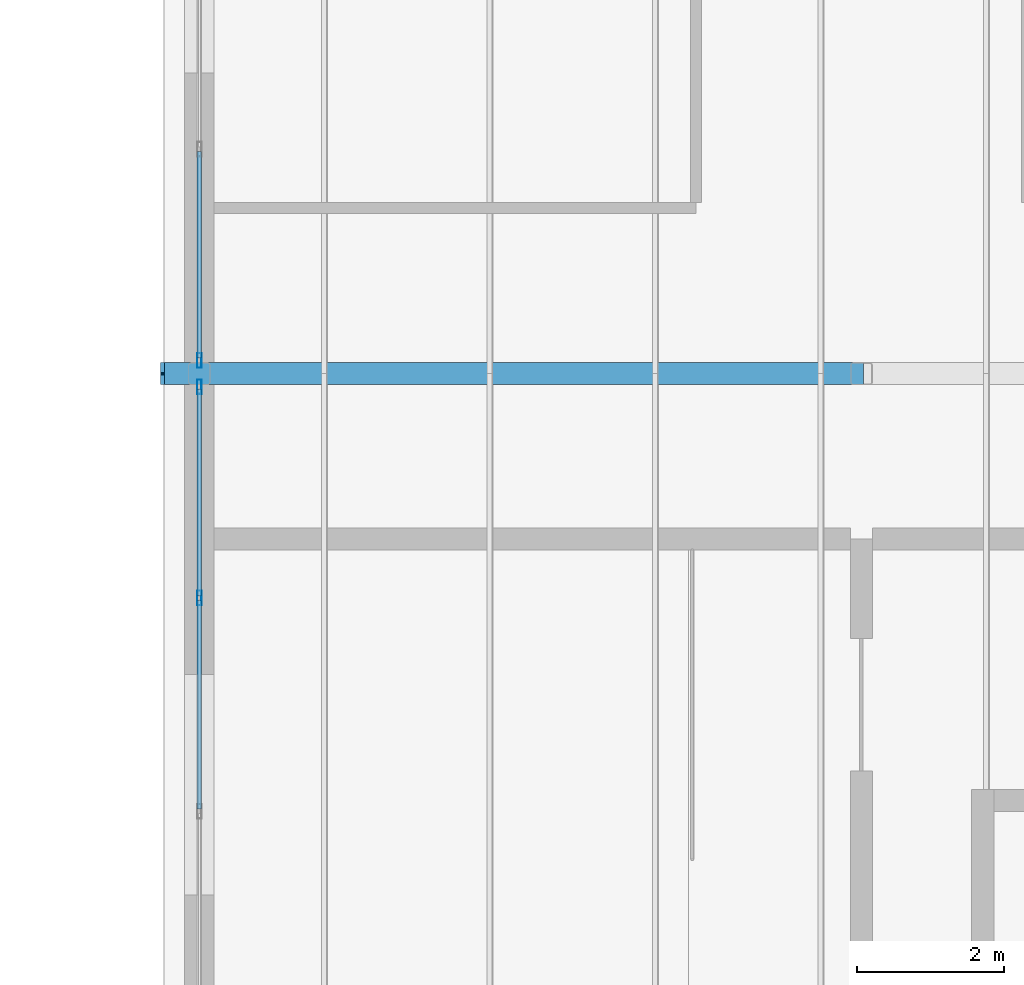
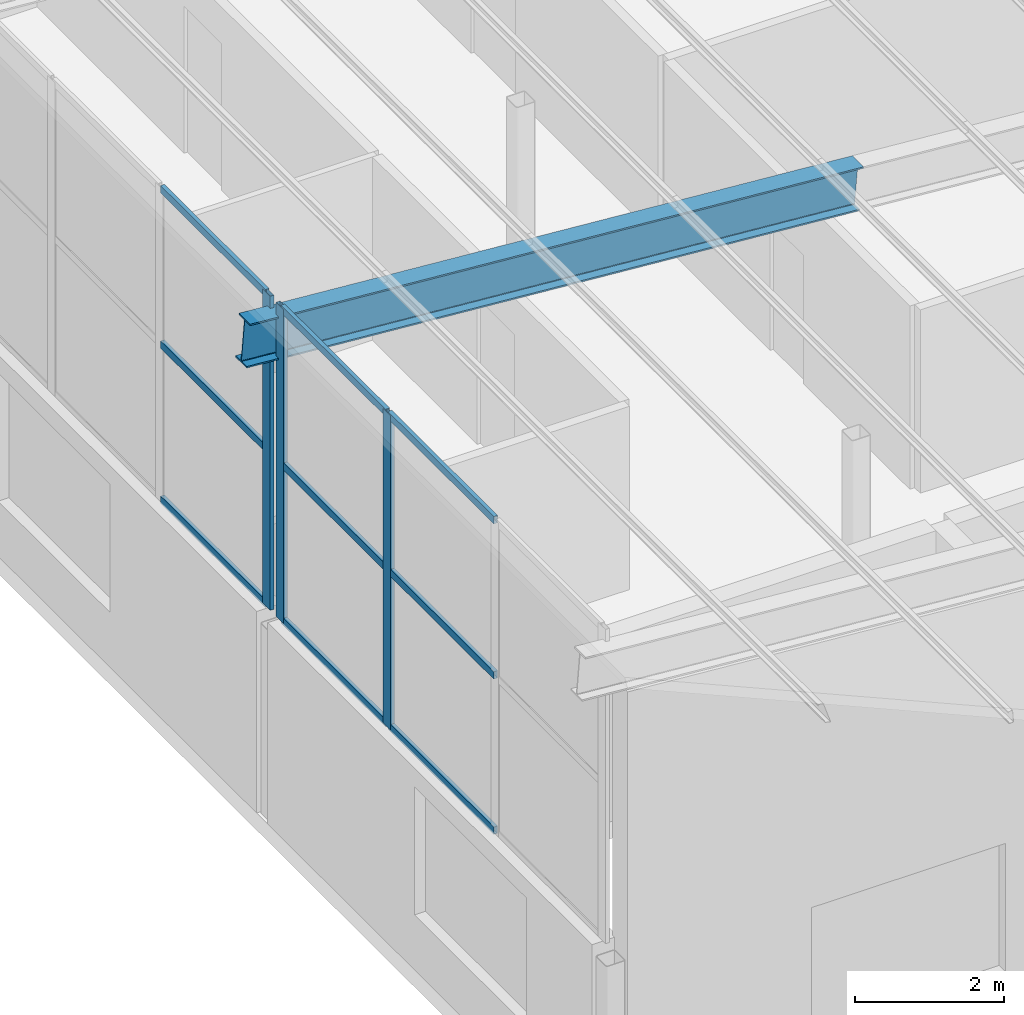
# One storey, part 25 of 85: 13 members, 2 elements without a shape of their own.
"""IFC4 building model written with IfcOpenShell, lengths in metres."""

from ifc_helpers import new_model, si_unit, direction, frame, origin, origin_2d, place, context, subcontext, project, spatial, hollow_rectangle, i_section, extrude, material, layer, layer_set, material_profile, profile_set, type_object, element, aggregate, save


model = new_model("IFC4")

# Units and contexts
model_context = context("Model", 3, precision=1e-05, world=origin(), true_north=direction((0.0, 1.0)))
body_context = subcontext(model_context, "Body", "Model", "MODEL_VIEW")
ifc_project = project(units=[si_unit("LENGTHUNIT", "METRE"), si_unit("AREAUNIT", "SQUARE_METRE"), si_unit("VOLUMEUNIT", "CUBIC_METRE"), si_unit("PLANEANGLEUNIT", "RADIAN"), si_unit("MASSUNIT", "GRAM", prefix="KILO")], contexts=[model_context])

# Site, building, storey
site_placement = place(None, origin())
site = spatial("IfcSite", under=ifc_project, at=site_placement, CompositionType="ELEMENT")
building_placement = place(site_placement, origin())
building = spatial("IfcBuilding", under=site, at=building_placement, Name="Opaline Strait Convention Centre", CompositionType="ELEMENT")
storey_placement = place(building_placement, frame((0.0, 0.0, 17.0)))
storey = spatial("IfcBuildingStorey", under=building, at=storey_placement, Name="L03", CompositionType="ELEMENT", Elevation=17.0)

# Curtain wall, members
ifc_material_1 = material(Name="Aluminium framed double glazing", Category="aluminium")
ifc_layer = layer(ifc_material_1, 0.199951171875)
ifc_layer_set = layer_set([ifc_layer], Name="Aluminium framed double glazing")
curtain_wall_type = type_object("IfcCurtainWallType", Name="Curtain wall 3000 module unitised", PredefinedType="NOTDEFINED", material=ifc_layer_set)
curtain_wall_1_placement = place(storey_placement, origin())
curtain_wall_1 = element("IfcCurtainWall", 1, at=curtain_wall_1_placement, inside=storey, type_object=curtain_wall_type, Name="Clerestory curtain wall W L03 32/L", PredefinedType="NOTDEFINED")
ifc_material_2 = material(Name="Aluminium alloy 6063", Category="aluminium")
ifc_material_profile_1 = material_profile(ifc_material_2, hollow_rectangle(XDim=0.06005859375, YDim=0.199951171875, WallThickness=0.00390625, at=origin_2d()), Name="MULLION 60x200x4")
ifc_profile_set_1 = profile_set([ifc_material_profile_1], Name="Aluminium alloy 6063")
member_type_1 = type_object("IfcMemberType", Name="Curtain wall mullion 60 x 200", PredefinedType="MULLION", material=ifc_profile_set_1)
member_1_placement = place(storey_placement, frame((279.0, 95.949951171875, 3.300048828125), z_axis=(0.0, 0.0, 1.0), x_axis=(-1.0, 0.0, 0.0)))
member_1 = element("IfcMember", 2, at=member_1_placement, type_object=member_type_1, Name="MCWR1 mullion 3", PredefinedType="MULLION", context=body_context, shape_type="SweptSolid", body=[
    extrude(hollow_rectangle(XDim=0.06005859375, YDim=0.199951171875, WallThickness=0.00390625, at=origin_2d()), origin(), (0.0, 0.0, 1.0), 5.144287109375),
])
member_2_placement = place(storey_placement, frame((279.0, 98.820068359375, 3.300048828125), z_axis=(0.0, 0.0, 1.0), x_axis=(-1.0, 0.0, 0.0)))
member_2 = element("IfcMember", 3, at=member_2_placement, type_object=member_type_1, Name="MCWR1 mullion 4", PredefinedType="MULLION", context=body_context, shape_type="SweptSolid", body=[
    extrude(hollow_rectangle(XDim=0.06005859375, YDim=0.199951171875, WallThickness=0.00390625, at=origin_2d()), origin(), (0.0, 0.0, 1.0), 5.144287109375),
])

# Curtain wall, member
curtain_wall_2_placement = place(storey_placement, origin())
curtain_wall_2 = element("IfcCurtainWall", 4, at=curtain_wall_2_placement, inside=storey, type_object=curtain_wall_type, Name="Clerestory curtain wall W L03 32/M", PredefinedType="NOTDEFINED")
member_3_placement = place(storey_placement, frame((279.0, 99.179931640625, 3.300048828125), z_axis=(0.0, 0.0, 1.0), x_axis=(-1.0, 0.0, 0.0)))
member_3 = element("IfcMember", 5, at=member_3_placement, type_object=member_type_1, Name="MCWR1 mullion 1", PredefinedType="MULLION", context=body_context, shape_type="SweptSolid", body=[
    extrude(hollow_rectangle(XDim=0.06005859375, YDim=0.199951171875, WallThickness=0.00390625, at=origin_2d()), origin(), (0.0, 0.0, 1.0), 5.144287109375),
])

# Member
ifc_material_profile_2 = material_profile(ifc_material_2, hollow_rectangle(XDim=0.06005859375, YDim=0.1201171875, WallThickness=0.0029296875, at=origin_2d()), Name="TRANSOM 60x120x3")
ifc_profile_set_2 = profile_set([ifc_material_profile_2], Name="Aluminium alloy 6063")
member_type_2 = type_object("IfcMemberType", Name="Curtain wall transom 60 x 120", PredefinedType="USERDEFINED", material=ifc_profile_set_2)
member_4_placement = place(storey_placement, frame((279.0, 93.080078125, 3.330078125), z_axis=(0.0, 1.0, 0.0), x_axis=(-1.0, 0.0, 0.0)))
member_4 = element("IfcMember", 6, at=member_4_placement, type_object=member_type_2, Name="MCWR1 transom 2.1", ObjectType="TRANSOM", PredefinedType="USERDEFINED", context=body_context, shape_type="SweptSolid", body=[
    extrude(hollow_rectangle(XDim=0.06005859375, YDim=0.1201171875, WallThickness=0.0029296875, at=origin_2d()), origin(), (0.0, 0.0, 1.0), 2.83984375),
])

member_5_placement = place(storey_placement, frame((279.0, 93.080078125, 5.872314453125), z_axis=(0.0, 1.0, 0.0), x_axis=(-1.0, 0.0, 0.0)))
member_5 = element("IfcMember", 7, at=member_5_placement, type_object=member_type_2, Name="MCWR1 transom 2.2", ObjectType="TRANSOM", PredefinedType="USERDEFINED", context=body_context, shape_type="SweptSolid", body=[
    extrude(hollow_rectangle(XDim=0.06005859375, YDim=0.1201171875, WallThickness=0.0029296875, at=origin_2d()), origin(), (0.0, 0.0, 1.0), 2.83984375),
])

member_6_placement = place(storey_placement, frame((279.0, 93.080078125, 8.414306640625), z_axis=(0.0, 1.0, 0.0), x_axis=(-1.0, 0.0, 0.0)))
member_6 = element("IfcMember", 8, at=member_6_placement, type_object=member_type_2, Name="MCWR1 transom 2.3", ObjectType="TRANSOM", PredefinedType="USERDEFINED", context=body_context, shape_type="SweptSolid", body=[
    extrude(hollow_rectangle(XDim=0.06005859375, YDim=0.1201171875, WallThickness=0.0029296875, at=origin_2d()), origin(), (0.0, 0.0, 1.0), 2.83984375),
])

member_7_placement = place(storey_placement, frame((279.0, 95.97998046875, 3.330078125), z_axis=(0.0, 1.0, 0.0), x_axis=(-1.0, 0.0, 0.0)))
member_7 = element("IfcMember", 9, at=member_7_placement, type_object=member_type_2, Name="MCWR1 transom 3.1", ObjectType="TRANSOM", PredefinedType="USERDEFINED", context=body_context, shape_type="SweptSolid", body=[
    extrude(hollow_rectangle(XDim=0.06005859375, YDim=0.1201171875, WallThickness=0.0029296875, at=origin_2d()), origin(), (0.0, 0.0, 1.0), 2.81005859375),
])

member_8_placement = place(storey_placement, frame((279.0, 95.97998046875, 5.872314453125), z_axis=(0.0, 1.0, 0.0), x_axis=(-1.0, 0.0, 0.0)))
member_8 = element("IfcMember", 10, at=member_8_placement, type_object=member_type_2, Name="MCWR1 transom 3.2", ObjectType="TRANSOM", PredefinedType="USERDEFINED", context=body_context, shape_type="SweptSolid", body=[
    extrude(hollow_rectangle(XDim=0.06005859375, YDim=0.1201171875, WallThickness=0.0029296875, at=origin_2d()), origin(), (0.0, 0.0, 1.0), 2.81005859375),
])

member_9_placement = place(storey_placement, frame((279.0, 95.97998046875, 8.414306640625), z_axis=(0.0, 1.0, 0.0), x_axis=(-1.0, 0.0, 0.0)))
member_9 = element("IfcMember", 11, at=member_9_placement, type_object=member_type_2, Name="MCWR1 transom 3.3", ObjectType="TRANSOM", PredefinedType="USERDEFINED", context=body_context, shape_type="SweptSolid", body=[
    extrude(hollow_rectangle(XDim=0.06005859375, YDim=0.1201171875, WallThickness=0.0029296875, at=origin_2d()), origin(), (0.0, 0.0, 1.0), 2.81005859375),
])

aggregate(curtain_wall_1, [member_1, member_2, member_4, member_5, member_6, member_7, member_8, member_9])

member_10_placement = place(storey_placement, frame((279.0, 99.2099609375, 3.330078125), z_axis=(0.0, 1.0, 0.0), x_axis=(-1.0, 0.0, 0.0)))
member_10 = element("IfcMember", 12, at=member_10_placement, type_object=member_type_2, Name="MCWR1 transom 1.1", ObjectType="TRANSOM", PredefinedType="USERDEFINED", context=body_context, shape_type="SweptSolid", body=[
    extrude(hollow_rectangle(XDim=0.06005859375, YDim=0.1201171875, WallThickness=0.0029296875, at=origin_2d()), origin(), (0.0, 0.0, 1.0), 2.81005859375),
])

member_11_placement = place(storey_placement, frame((279.0, 99.2099609375, 5.872314453125), z_axis=(0.0, 1.0, 0.0), x_axis=(-1.0, 0.0, 0.0)))
member_11 = element("IfcMember", 13, at=member_11_placement, type_object=member_type_2, Name="MCWR1 transom 1.2", ObjectType="TRANSOM", PredefinedType="USERDEFINED", context=body_context, shape_type="SweptSolid", body=[
    extrude(hollow_rectangle(XDim=0.06005859375, YDim=0.1201171875, WallThickness=0.0029296875, at=origin_2d()), origin(), (0.0, 0.0, 1.0), 2.81005859375),
])

member_12_placement = place(storey_placement, frame((279.0, 99.2099609375, 8.414306640625), z_axis=(0.0, 1.0, 0.0), x_axis=(-1.0, 0.0, 0.0)))
member_12 = element("IfcMember", 14, at=member_12_placement, type_object=member_type_2, Name="MCWR1 transom 1.3", ObjectType="TRANSOM", PredefinedType="USERDEFINED", context=body_context, shape_type="SweptSolid", body=[
    extrude(hollow_rectangle(XDim=0.06005859375, YDim=0.1201171875, WallThickness=0.0029296875, at=origin_2d()), origin(), (0.0, 0.0, 1.0), 2.81005859375),
])

aggregate(curtain_wall_2, [member_3, member_10, member_11, member_12])

ifc_material_3 = material(Name="Steel Q355B", Category="steel")
ifc_material_profile_3 = material_profile(ifc_material_3, i_section(OverallWidth=0.300048828125, OverallDepth=0.699951171875, WebThickness=0.012939453125, FlangeThickness=0.02392578125, FilletRadius=0.01806640625, at=origin_2d()), Name="HN 700x300x13x24")
ifc_profile_set_3 = profile_set([ifc_material_profile_3], Name="Steel Q355B")
member_type_3 = type_object("IfcMemberType", Name="Roof rafter HN 700x300x13x24", PredefinedType="RAFTER", material=ifc_profile_set_3)
member_13_placement = place(storey_placement, frame((278.5, 99.0, 7.93212890625), z_axis=(0.996916213079, 0.0, -0.078473333693), x_axis=(0.0, 1.0, 0.0)))
element("IfcMember", 15, at=member_13_placement, inside=storey, type_object=member_type_3, Name="MRR1 rafter y 99", PredefinedType="RAFTER", context=body_context, shape_type="SweptSolid", body=[
    extrude(i_section(OverallWidth=0.300048828125, OverallDepth=0.699951171875, WebThickness=0.012939453125, FlangeThickness=0.02392578125, FilletRadius=0.01806640625, at=origin_2d()), origin(), (0.0, 0.0, 1.0), 9.529296875),
])

save(model, "model.ifc")
